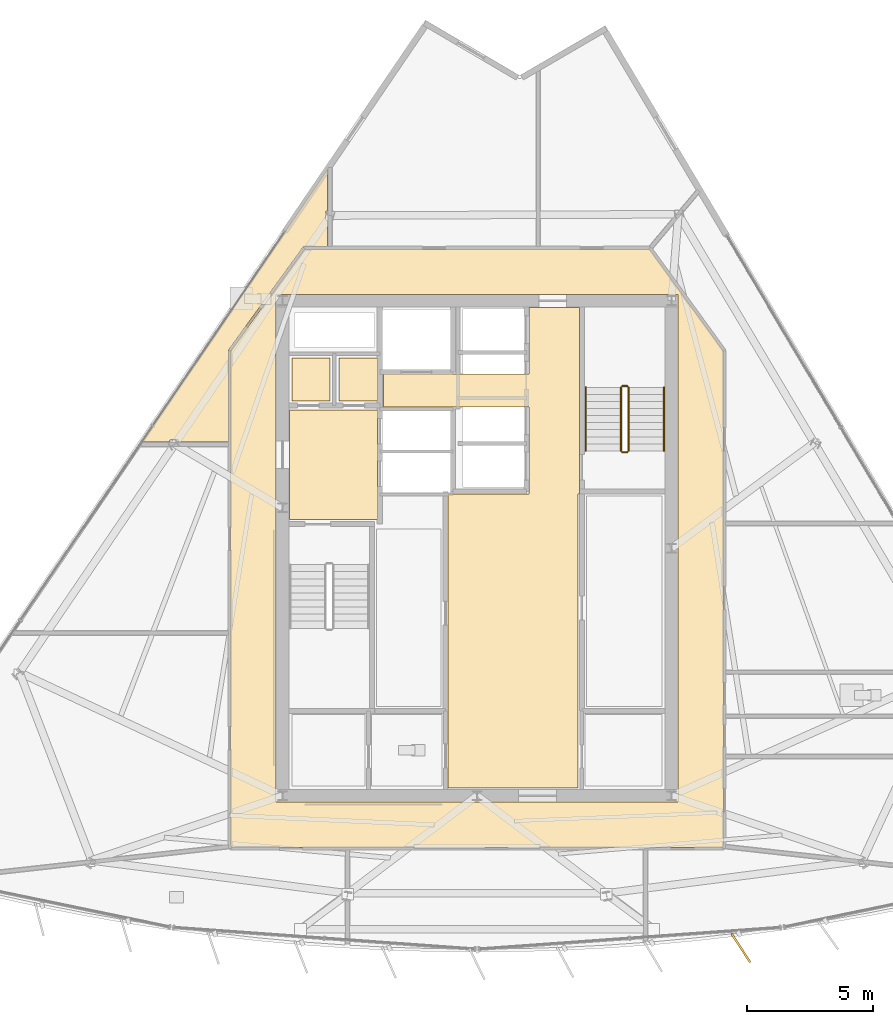
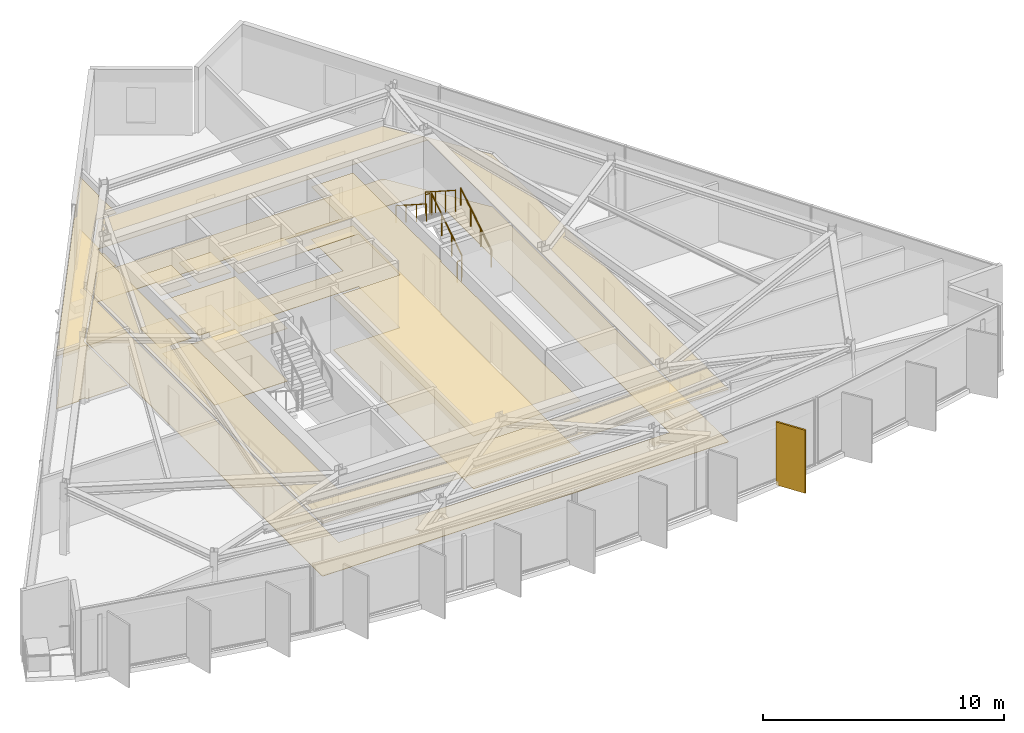
# One storey, part 10 of 12: 12 coverings, 6 railings, 1 shading device.
"""IFC4 building model written with IfcOpenShell, lengths in metres."""

from ifc_helpers import new_model, si_unit, direction, frame, origin, origin_2d, place, context, subcontext, project, spatial, polyline, rectangle, circle, outline, extrude, material, layer, layer_set, type_object, element, save


model = new_model("IFC4")

# Units and contexts
model_context = context("Model", 3, precision=1e-05, world=origin(), true_north=direction((0.0, 1.0)))
body_context = subcontext(model_context, "Body", "Model", "MODEL_VIEW")
ifc_project = project(units=[si_unit("LENGTHUNIT", "METRE"), si_unit("AREAUNIT", "SQUARE_METRE"), si_unit("VOLUMEUNIT", "CUBIC_METRE"), si_unit("PLANEANGLEUNIT", "RADIAN"), si_unit("MASSUNIT", "GRAM", prefix="KILO")], contexts=[model_context])

# Site, building, storey
site_placement = place(None, origin())
site = spatial("IfcSite", under=ifc_project, at=site_placement, CompositionType="ELEMENT")
building_placement = place(site_placement, origin())
building = spatial("IfcBuilding", under=site, at=building_placement, Name="Savorim Split Tower", CompositionType="ELEMENT")
storey_placement = place(building_placement, frame((0.0, 0.0, 279.60009765625)))
storey = spatial("IfcBuildingStorey", under=building, at=storey_placement, Name="L74", CompositionType="ELEMENT", Elevation=279.60009765625)

# Coverings
ifc_material_1 = material(Name="Mineral Fibre Acoustic Ceiling")
ifc_layer_1 = layer(ifc_material_1, 0.02490234375)
ifc_layer_set_1 = layer_set([ifc_layer_1], Name="COV-CEIL-25")
covering_type_1 = type_object("IfcCoveringType", Name="COV-CEIL-25", PredefinedType="CEILING", material=ifc_layer_set_1)
covering_1_placement = place(storey_placement, frame((0.0, 0.0, 2.669921875)))
element("IfcCovering", 1, at=covering_1_placement, inside=storey, type_object=covering_type_1, Name="L74 Firefighting Lift Lobby Acoustic Ceiling", PredefinedType="CEILING", context=body_context, shape_type="SweptSolid", body=[
    extrude(outline(polyline([(-7.429931640625, 5.8701171875), (-7.429931640625, 1.530029296875), (-3.929931640625, 1.530029296875), (-3.929931640625, 5.8701171875), (-7.429931640625, 5.8701171875)])), origin(), (0.0, 0.0, 1.0), 0.02490234375),
])
covering_2_placement = place(storey_placement, frame((0.0, 0.0, 2.669921875)))
element("IfcCovering", 2, at=covering_2_placement, inside=storey, type_object=covering_type_1, Name="L74 Electrical Riser Acoustic Ceiling", PredefinedType="CEILING", context=body_context, shape_type="SweptSolid", body=[
    extrude(outline(polyline([(-7.320068359375, 7.919921875), (-7.320068359375, 6.22998046875), (-5.830078125, 6.22998046875), (-5.830078125, 7.919921875), (-7.320068359375, 7.919921875)])), origin(), (0.0, 0.0, 1.0), 0.02490234375),
])
covering_3_placement = place(storey_placement, frame((0.0, 0.0, 2.669921875)))
element("IfcCovering", 3, at=covering_3_placement, inside=storey, type_object=covering_type_1, Name="L74 Telecom Riser Acoustic Ceiling", PredefinedType="CEILING", context=body_context, shape_type="SweptSolid", body=[
    extrude(outline(polyline([(-5.469970703125, 7.919921875), (-5.469970703125, 6.22998046875), (-3.929931640625, 6.22998046875), (-3.929931640625, 7.919921875), (-5.469970703125, 7.919921875)])), origin(), (0.0, 0.0, 1.0), 0.02490234375),
])
covering_4_placement = place(storey_placement, frame((0.0, 0.0, 2.669921875)))
element("IfcCovering", 4, at=covering_4_placement, inside=storey, type_object=covering_type_1, Name="L74 Lift Lobby Acoustic Ceiling", PredefinedType="CEILING", context=body_context, shape_type="SweptSolid", body=[
    extrude(outline(polyline([(2.050048828125, 2.550048828125), (-1.14990234375, 2.550048828125), (-1.14990234375, -9.10009765625), (4.0, -9.10009765625), (4.0, 2.550048828125), (4.050048828125, 2.550048828125), (4.050048828125, 5.97998046875), (4.050048828125, 7.300048828125), (4.050048828125, 9.929931640625), (2.050048828125, 9.929931640625), (2.050048828125, 7.300048828125), (-3.699951171875, 7.300048828125), (-3.699951171875, 5.97998046875), (2.050048828125, 5.97998046875), (2.050048828125, 2.550048828125)])), origin(), (0.0, 0.0, 1.0), 0.02490234375),
])
covering_5_placement = place(storey_placement, frame((0.0, 0.0, 2.669921875)))
element("IfcCovering", 5, at=covering_5_placement, inside=storey, type_object=covering_type_1, Name="L74 Corridor Acoustic Ceiling", PredefinedType="CEILING", context=body_context, shape_type="SweptSolid", body=[
    extrude(outline(polyline([(6.809326171875, 12.2490234375), (6.8046875, 12.249755859375), (6.800048828125, 12.25), (-6.800048828125, 12.25), (-6.8046875, 12.249755859375), (-6.809326171875, 12.2490234375), (-6.81396484375, 12.248046875), (-6.818359375, 12.24658203125), (-6.82275390625, 12.244384765625), (-6.826904296875, 12.2421875), (-6.830810546875, 12.239501953125), (-6.834228515625, 12.236328125), (-6.83740234375, 12.23291015625), (-6.840576171875, 12.229248046875), (-9.740478515625, 8.229248046875), (-9.743408203125, 8.22509765625), (-9.74560546875, 8.22021484375), (-9.74755859375, 8.21533203125), (-9.748779296875, 8.21044921875), (-9.749755859375, 8.205078125), (-9.75, 8.199951171875), (-9.75, -11.39990234375), (-9.749755859375, -11.40478515625), (-9.7490234375, -11.409912109375), (-9.747802734375, -11.41455078125), (-9.74609375, -11.419189453125), (-9.744140625, -11.423583984375), (-9.74169921875, -11.427734375), (-9.73876953125, -11.431640625), (-9.7353515625, -11.435302734375), (-9.731689453125, -11.438720703125), (-9.727783203125, -11.441650390625), (-9.7236328125, -11.444091796875), (-9.718994140625, -11.4462890625), (-9.714599609375, -11.44775390625), (-9.709716796875, -11.448974609375), (-9.704833984375, -11.44970703125), (-9.699951171875, -11.449951171875), (9.699951171875, -11.449951171875), (9.704833984375, -11.44970703125), (9.709716796875, -11.448974609375), (9.714599609375, -11.44775390625), (9.718994140625, -11.4462890625), (9.7236328125, -11.444091796875), (9.727783203125, -11.441650390625), (9.731689453125, -11.438720703125), (9.7353515625, -11.435302734375), (9.73876953125, -11.431640625), (9.74169921875, -11.427734375), (9.744140625, -11.423583984375), (9.74609375, -11.419189453125), (9.747802734375, -11.41455078125), (9.7490234375, -11.409912109375), (9.749755859375, -11.40478515625), (9.75, -11.39990234375), (9.75, 8.199951171875), (9.749755859375, 8.205078125), (9.748779296875, 8.21044921875), (9.74755859375, 8.21533203125), (9.74560546875, 8.22021484375), (9.743408203125, 8.22509765625), (9.740478515625, 8.229248046875), (6.840576171875, 12.229248046875), (6.83740234375, 12.23291015625), (6.834228515625, 12.236328125), (6.830810546875, 12.239501953125), (6.826904296875, 12.2421875), (6.82275390625, 12.244384765625), (6.818359375, 12.24658203125), (6.81396484375, 12.248046875), (6.809326171875, 12.2490234375)]), holes=[polyline([(-7.949951171875, 10.449951171875), (-7.949951171875, -9.64990234375), (7.949951171875, -9.64990234375), (7.949951171875, 10.449951171875), (-7.949951171875, 10.449951171875)])]), origin(), (0.0, 0.0, 1.0), 0.02490234375),
])
covering_6_placement = place(storey_placement, frame((0.0, 0.0, 2.669921875)))
element("IfcCovering", 6, at=covering_6_placement, inside=storey, type_object=covering_type_1, Name="L74 Shared Bathroom Acoustic Ceiling", PredefinedType="CEILING", context=body_context, shape_type="SweptSolid", body=[
    extrude(outline(polyline([(-6.813232421875, 12.33935546875), (-6.800048828125, 12.340087890625), (-5.916015625, 12.340087890625), (-5.916015625, 13.399169921875), (-5.9853515625, 13.399169921875), (-5.9853515625, 13.749267578125), (-5.916015625, 13.749267578125), (-5.916015625, 15.410400390625), (-13.268798828125, 4.601806640625), (-12.15380859375, 4.601806640625), (-12.15380859375, 4.681884765625), (-11.82470703125, 4.681884765625), (-11.82470703125, 4.601806640625), (-9.840087890625, 4.601806640625), (-9.840087890625, 8.199951171875), (-9.839111328125, 8.214599609375), (-9.8369140625, 8.22900390625), (-9.833251953125, 8.2431640625), (-9.827880859375, 8.2568359375), (-9.8212890625, 8.27001953125), (-9.813232421875, 8.2822265625), (-6.913330078125, 12.2822265625), (-6.905029296875, 12.29248046875), (-6.89599609375, 12.302001953125), (-6.885986328125, 12.310546875), (-6.875, 12.318115234375), (-6.863525390625, 12.32470703125), (-6.8515625, 12.330078125), (-6.839111328125, 12.33447265625), (-6.826416015625, 12.33740234375), (-6.813232421875, 12.33935546875)])), origin(), (0.0, 0.0, 1.0), 0.02490234375),
])
ifc_material_2 = material(Name="Porcelain Stoneware Flooring", Category="masonry")
ifc_layer_2 = layer(ifc_material_2, 0.02001953125)
ifc_layer_set_2 = layer_set([ifc_layer_2], Name="COV-FLOR-20")
covering_type_2 = type_object("IfcCoveringType", Name="COV-FLOR-20", PredefinedType="FLOORING", material=ifc_layer_set_2)
covering_7_placement = place(storey_placement, origin())
element("IfcCovering", 7, at=covering_7_placement, inside=storey, type_object=covering_type_2, Name="L74 Firefighting Lift Lobby Porcelain Flooring", PredefinedType="FLOORING", context=body_context, shape_type="SweptSolid", body=[
    extrude(outline(polyline([(-7.429931640625, 5.8701171875), (-7.429931640625, 1.530029296875), (-3.929931640625, 1.530029296875), (-3.929931640625, 5.8701171875), (-7.429931640625, 5.8701171875)])), origin(), (0.0, 0.0, 1.0), 0.02001953125),
])
covering_8_placement = place(storey_placement, origin())
element("IfcCovering", 8, at=covering_8_placement, inside=storey, type_object=covering_type_2, Name="L74 Electrical Riser Porcelain Flooring", PredefinedType="FLOORING", context=body_context, shape_type="SweptSolid", body=[
    extrude(outline(polyline([(-7.320068359375, 7.919921875), (-7.320068359375, 6.22998046875), (-5.830078125, 6.22998046875), (-5.830078125, 7.919921875), (-7.320068359375, 7.919921875)])), origin(), (0.0, 0.0, 1.0), 0.02001953125),
])
covering_9_placement = place(storey_placement, origin())
element("IfcCovering", 9, at=covering_9_placement, inside=storey, type_object=covering_type_2, Name="L74 Telecom Riser Porcelain Flooring", PredefinedType="FLOORING", context=body_context, shape_type="SweptSolid", body=[
    extrude(outline(polyline([(-5.469970703125, 7.919921875), (-5.469970703125, 6.22998046875), (-3.929931640625, 6.22998046875), (-3.929931640625, 7.919921875), (-5.469970703125, 7.919921875)])), origin(), (0.0, 0.0, 1.0), 0.02001953125),
])
covering_10_placement = place(storey_placement, origin())
element("IfcCovering", 10, at=covering_10_placement, inside=storey, type_object=covering_type_2, Name="L74 Lift Lobby Porcelain Flooring", PredefinedType="FLOORING", context=body_context, shape_type="SweptSolid", body=[
    extrude(outline(polyline([(2.050048828125, 2.550048828125), (-1.14990234375, 2.550048828125), (-1.14990234375, -9.10009765625), (4.0, -9.10009765625), (4.0, 2.550048828125), (4.050048828125, 2.550048828125), (4.050048828125, 5.97998046875), (4.050048828125, 7.300048828125), (4.050048828125, 9.929931640625), (2.050048828125, 9.929931640625), (2.050048828125, 7.300048828125), (-3.699951171875, 7.300048828125), (-3.699951171875, 5.97998046875), (2.050048828125, 5.97998046875), (2.050048828125, 2.550048828125)])), origin(), (0.0, 0.0, 1.0), 0.02001953125),
])
covering_11_placement = place(storey_placement, origin())
element("IfcCovering", 11, at=covering_11_placement, inside=storey, type_object=covering_type_2, Name="L74 Corridor Porcelain Flooring", PredefinedType="FLOORING", context=body_context, shape_type="SweptSolid", body=[
    extrude(outline(polyline([(6.809326171875, 12.2490234375), (6.8046875, 12.249755859375), (6.800048828125, 12.25), (-6.800048828125, 12.25), (-6.8046875, 12.249755859375), (-6.809326171875, 12.2490234375), (-6.81396484375, 12.248046875), (-6.818359375, 12.24658203125), (-6.82275390625, 12.244384765625), (-6.826904296875, 12.2421875), (-6.830810546875, 12.239501953125), (-6.834228515625, 12.236328125), (-6.83740234375, 12.23291015625), (-6.840576171875, 12.229248046875), (-9.740478515625, 8.229248046875), (-9.743408203125, 8.22509765625), (-9.74560546875, 8.22021484375), (-9.74755859375, 8.21533203125), (-9.748779296875, 8.21044921875), (-9.749755859375, 8.205078125), (-9.75, 8.199951171875), (-9.75, -11.39990234375), (-9.749755859375, -11.40478515625), (-9.7490234375, -11.409912109375), (-9.747802734375, -11.41455078125), (-9.74609375, -11.419189453125), (-9.744140625, -11.423583984375), (-9.74169921875, -11.427734375), (-9.73876953125, -11.431640625), (-9.7353515625, -11.435302734375), (-9.731689453125, -11.438720703125), (-9.727783203125, -11.441650390625), (-9.7236328125, -11.444091796875), (-9.718994140625, -11.4462890625), (-9.714599609375, -11.44775390625), (-9.709716796875, -11.448974609375), (-9.704833984375, -11.44970703125), (-9.699951171875, -11.449951171875), (9.699951171875, -11.449951171875), (9.704833984375, -11.44970703125), (9.709716796875, -11.448974609375), (9.714599609375, -11.44775390625), (9.718994140625, -11.4462890625), (9.7236328125, -11.444091796875), (9.727783203125, -11.441650390625), (9.731689453125, -11.438720703125), (9.7353515625, -11.435302734375), (9.73876953125, -11.431640625), (9.74169921875, -11.427734375), (9.744140625, -11.423583984375), (9.74609375, -11.419189453125), (9.747802734375, -11.41455078125), (9.7490234375, -11.409912109375), (9.749755859375, -11.40478515625), (9.75, -11.39990234375), (9.75, 8.199951171875), (9.749755859375, 8.205078125), (9.748779296875, 8.21044921875), (9.74755859375, 8.21533203125), (9.74560546875, 8.22021484375), (9.743408203125, 8.22509765625), (9.740478515625, 8.229248046875), (6.840576171875, 12.229248046875), (6.83740234375, 12.23291015625), (6.834228515625, 12.236328125), (6.830810546875, 12.239501953125), (6.826904296875, 12.2421875), (6.82275390625, 12.244384765625), (6.818359375, 12.24658203125), (6.81396484375, 12.248046875), (6.809326171875, 12.2490234375)]), holes=[polyline([(-7.949951171875, 10.449951171875), (-7.949951171875, -9.64990234375), (7.949951171875, -9.64990234375), (7.949951171875, 10.449951171875), (-7.949951171875, 10.449951171875)])]), origin(), (0.0, 0.0, 1.0), 0.02001953125),
])
covering_12_placement = place(storey_placement, origin())
element("IfcCovering", 12, at=covering_12_placement, inside=storey, type_object=covering_type_2, Name="L74 Shared Bathroom Porcelain Flooring", PredefinedType="FLOORING", context=body_context, shape_type="SweptSolid", body=[
    extrude(outline(polyline([(-6.813232421875, 12.33935546875), (-6.800048828125, 12.340087890625), (-5.916015625, 12.340087890625), (-5.916015625, 13.399169921875), (-5.9853515625, 13.399169921875), (-5.9853515625, 13.749267578125), (-5.916015625, 13.749267578125), (-5.916015625, 15.410400390625), (-13.268798828125, 4.601806640625), (-12.15380859375, 4.601806640625), (-12.15380859375, 4.681884765625), (-11.82470703125, 4.681884765625), (-11.82470703125, 4.601806640625), (-9.840087890625, 4.601806640625), (-9.840087890625, 8.199951171875), (-9.839111328125, 8.214599609375), (-9.8369140625, 8.22900390625), (-9.833251953125, 8.2431640625), (-9.827880859375, 8.2568359375), (-9.8212890625, 8.27001953125), (-9.813232421875, 8.2822265625), (-6.913330078125, 12.2822265625), (-6.905029296875, 12.29248046875), (-6.89599609375, 12.302001953125), (-6.885986328125, 12.310546875), (-6.875, 12.318115234375), (-6.863525390625, 12.32470703125), (-6.8515625, 12.330078125), (-6.839111328125, 12.33447265625), (-6.826416015625, 12.33740234375), (-6.813232421875, 12.33935546875)])), origin(), (0.0, 0.0, 1.0), 0.02001953125),
])

# Railings
ifc_material_3 = material(Name="Galvanised Painted Steel Balustrade", Category="steel")
railing_type_1 = type_object("IfcRailingType", Name="RLG-HR-900", PredefinedType="HANDRAIL", material=ifc_material_3)
railing_1_placement = place(storey_placement, frame((7.39990234375, 4.25, 0.179931640625)))
element("IfcRailing", 13, at=railing_1_placement, inside=storey, type_object=railing_type_1, Name="L74 ST-2 stair handrail 1", PredefinedType="HANDRAIL", context=body_context, shape_type="SweptSolid", body=[
    extrude(circle(Radius=0.02392578125, at=origin_2d()), frame((0.0, 0.0, 0.8759765625), z_axis=(0.0, 0.841199657755, 0.540724639528), x_axis=(-1.0, 0.0, 0.0)), (0.0, 0.0, 1.0), 2.995849609375),
    extrude(circle(Radius=0.02099609375, at=origin_2d()), origin(), (0.0, 0.0, 1.0), 0.851806640625),
    extrude(circle(Radius=0.02099609375, at=origin_2d()), frame((0.0, 0.840087890625, 0.5400390625)), (0.0, 0.0, 1.0), 0.851806640625),
    extrude(circle(Radius=0.02099609375, at=origin_2d()), frame((0.0, 1.679931640625, 1.079833984375)), (0.0, 0.0, 1.0), 0.851806640625),
    extrude(circle(Radius=0.02099609375, at=origin_2d()), frame((0.0, 2.52001953125, 1.619873046875)), (0.0, 0.0, 1.0), 0.851806640625),
])
railing_2_placement = place(storey_placement, frame((4.300048828125, 6.77001953125, 1.97998046875)))
element("IfcRailing", 14, at=railing_2_placement, inside=storey, type_object=railing_type_1, Name="L74 ST-2 stair handrail 2", PredefinedType="HANDRAIL", context=body_context, shape_type="SweptSolid", body=[
    extrude(circle(Radius=0.02392578125, at=origin_2d()), frame((0.0, 0.0, 0.8759765625), z_axis=(0.0, -0.841199657755, 0.540724639528), x_axis=(1.0, 0.0, 0.0)), (0.0, 0.0, 1.0), 2.995849609375),
    extrude(circle(Radius=0.02099609375, at=origin_2d()), origin(), (0.0, 0.0, 1.0), 0.851806640625),
    extrude(circle(Radius=0.02099609375, at=origin_2d()), frame((0.0, -0.840087890625, 0.5400390625)), (0.0, 0.0, 1.0), 0.851806640625),
    extrude(circle(Radius=0.02099609375, at=origin_2d()), frame((0.0, -1.679931640625, 1.079833984375)), (0.0, 0.0, 1.0), 0.851806640625),
    extrude(circle(Radius=0.02099609375, at=origin_2d()), frame((0.0, -2.52001953125, 1.619873046875)), (0.0, 0.0, 1.0), 0.851806640625),
])
railing_type_2 = type_object("IfcRailingType", Name="RLG-STG-1100", PredefinedType="BALUSTRADE", material=ifc_material_3)
railing_3_placement = place(storey_placement, frame((6.0, 4.25, 0.179931640625)))
element("IfcRailing", 15, at=railing_3_placement, inside=storey, type_object=railing_type_2, Name="L74 ST-2 stair guard 1", PredefinedType="BALUSTRADE", context=body_context, shape_type="SweptSolid", body=[
    extrude(circle(Radius=0.02392578125, at=origin_2d()), frame((0.0, 0.0, 1.076171875), z_axis=(0.0, 0.841199657755, 0.540724639528), x_axis=(-1.0, 0.0, 0.0)), (0.0, 0.0, 1.0), 2.995849609375),
    extrude(circle(Radius=0.02099609375, at=origin_2d()), origin(), (0.0, 0.0, 1.0), 1.052001953125),
    extrude(circle(Radius=0.02099609375, at=origin_2d()), frame((0.0, 0.840087890625, 0.5400390625)), (0.0, 0.0, 1.0), 1.052001953125),
    extrude(circle(Radius=0.02099609375, at=origin_2d()), frame((0.0, 1.679931640625, 1.079833984375)), (0.0, 0.0, 1.0), 1.052001953125),
    extrude(circle(Radius=0.02099609375, at=origin_2d()), frame((0.0, 2.52001953125, 1.619873046875)), (0.0, 0.0, 1.0), 1.052001953125),
])
railing_4_placement = place(storey_placement, frame((5.949951171875, 6.820068359375, 1.7998046875)))
element("IfcRailing", 16, at=railing_4_placement, inside=storey, type_object=railing_type_2, Name="L74 ST-2 stair guard 2", PredefinedType="BALUSTRADE", context=body_context, shape_type="SweptSolid", body=[
    extrude(circle(Radius=0.02392578125, at=origin_2d()), frame((0.0, 0.0, 1.076171875), z_axis=(-1.0, 0.0, 0.0), x_axis=(0.0, -1.0, 0.0)), (0.0, 0.0, 1.0), 0.199951171875),
    extrude(circle(Radius=0.02099609375, at=origin_2d()), origin(), (0.0, 0.0, 1.0), 1.052001953125),
    extrude(circle(Radius=0.02099609375, at=origin_2d()), frame((-0.199951171875, 0.0, 0.0)), (0.0, 0.0, 1.0), 1.052001953125),
])
railing_5_placement = place(storey_placement, frame((5.699951171875, 6.77001953125, 1.97998046875)))
element("IfcRailing", 17, at=railing_5_placement, inside=storey, type_object=railing_type_2, Name="L74 ST-2 stair guard 3", PredefinedType="BALUSTRADE", context=body_context, shape_type="SweptSolid", body=[
    extrude(circle(Radius=0.02392578125, at=origin_2d()), frame((0.0, 0.0, 1.076171875), z_axis=(0.0, -0.841199657755, 0.540724639528), x_axis=(1.0, 0.0, 0.0)), (0.0, 0.0, 1.0), 2.995849609375),
    extrude(circle(Radius=0.02099609375, at=origin_2d()), origin(), (0.0, 0.0, 1.0), 1.052001953125),
    extrude(circle(Radius=0.02099609375, at=origin_2d()), frame((0.0, -0.840087890625, 0.5400390625)), (0.0, 0.0, 1.0), 1.052001953125),
    extrude(circle(Radius=0.02099609375, at=origin_2d()), frame((0.0, -1.679931640625, 1.079833984375)), (0.0, 0.0, 1.0), 1.052001953125),
    extrude(circle(Radius=0.02099609375, at=origin_2d()), frame((0.0, -2.52001953125, 1.619873046875)), (0.0, 0.0, 1.0), 1.052001953125),
])
railing_6_placement = place(storey_placement, frame((5.949951171875, 4.199951171875, 0.0)))
element("IfcRailing", 18, at=railing_6_placement, inside=storey, type_object=railing_type_2, Name="L74 ST-2 stair guard 4", PredefinedType="BALUSTRADE", context=body_context, shape_type="SweptSolid", body=[
    extrude(circle(Radius=0.02392578125, at=origin_2d()), frame((0.0, 0.0, 1.076171875), z_axis=(-1.0, 0.0, 0.0), x_axis=(0.0, -1.0, 0.0)), (0.0, 0.0, 1.0), 0.199951171875),
    extrude(circle(Radius=0.02099609375, at=origin_2d()), origin(), (0.0, 0.0, 1.0), 1.052001953125),
    extrude(circle(Radius=0.02099609375, at=origin_2d()), frame((-0.199951171875, 0.0, 0.0)), (0.0, 0.0, 1.0), 1.052001953125),
])

# Shading device
ifc_material_4 = material(Name="Terracotta Ceramic-Coated Aluminium Fin", Category="masonry")
shading_device_type = type_object("IfcShadingDeviceType", Name="SHD-FIN-1360", PredefinedType="USERDEFINED", material=ifc_material_4)
shading_device_placement = place(storey_placement, frame((10.444091796875, -15.423095703125, -0.2001953125), z_axis=(0.0, 0.0, 1.0), x_axis=(0.545148321708, -0.838339613366, 0.0)))
element("IfcShadingDevice", 19, at=shading_device_placement, inside=storey, type_object=shading_device_type, Name="L74 Sawtooth Shading Fin 10", ObjectType="FIN", PredefinedType="USERDEFINED", context=body_context, shape_type="SweptSolid", body=[
    extrude(rectangle(XDim=1.360107421875, YDim=0.080078125, at=origin_2d()), origin(), (0.0, 0.0, 1.0), 3.199951171875),
])

save(model, "model.ifc")
